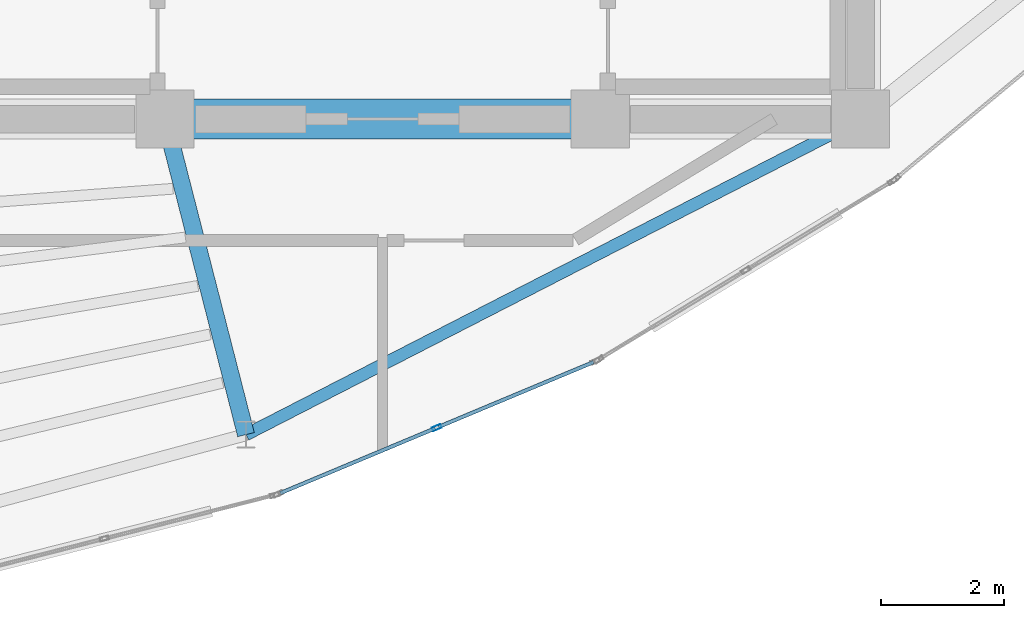
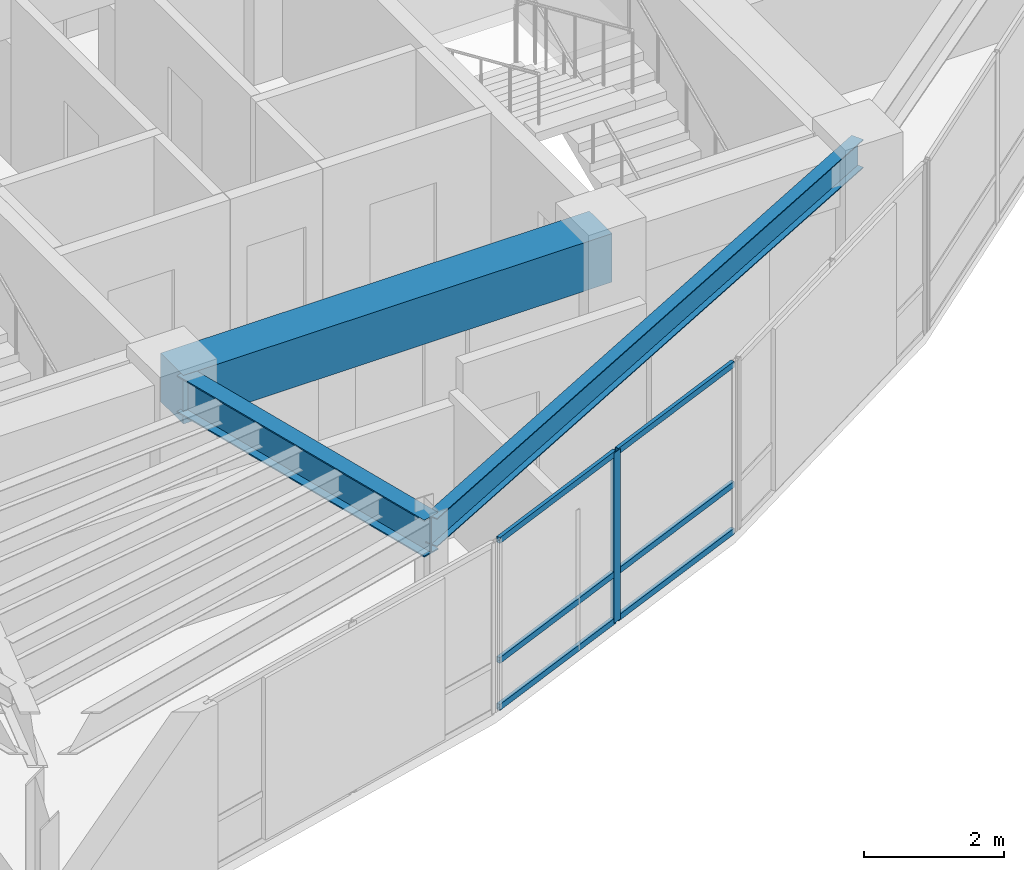
# One storey, part 3 of 14: 7 members, 3 beams, 1 element without a shape of its own.
"""IFC4 building model written with IfcOpenShell, lengths in metres."""

import ifcopenshell
import ifcopenshell.guid

model = None  # the IFC model being written
_history = None  # IfcOwnerHistory: only IFC2X3 demands one
_inside = {}  # id of a spatial element -> (the spatial element, [elements in it])
_under = {}  # id of a project, library or spatial element -> (it, [spatial elements below it])
_declared = {}  # id of a project -> (the project, [libraries it declares])
_typed = {}  # id of a type object -> (the type object, [elements of that type])
_made_of = {}  # id of a material, layer set ... -> (it, [elements and type objects made of it])


def new_model(schema):
    """Start an empty IFC model of exactly this schema.

    Asked for "IFC4X3", IfcOpenShell would pick the latest addendum, in which some entities
    have other attributes; the version numbers below select the first issue.
    IFC2X3 requires an IfcOwnerHistory on every rooted entity: one is made here for all.
    """
    global model, _history
    if schema == "IFC4X3":
        model = ifcopenshell.file(schema_version=(4, 3, 0, 0))
    else:
        model = ifcopenshell.file(schema=schema)
    _inside.clear()
    _under.clear()
    _declared.clear()
    _typed.clear()
    _made_of.clear()
    _history = None
    if model.schema == "IFC2X3":
        org = make("IfcOrganization", Name="unknown")
        user = make(
            "IfcPersonAndOrganization",
            ThePerson=make("IfcPerson", FamilyName="unknown"),
            TheOrganization=org,
        )
        app = make(
            "IfcApplication",
            ApplicationDeveloper=org,
            Version="unknown",
            ApplicationFullName="unknown",
            ApplicationIdentifier="unknown",
        )
        _history = make(
            "IfcOwnerHistory",
            OwningUser=user,
            OwningApplication=app,
            ChangeAction="ADDED",
            CreationDate=0,
        )
    return model


def make(cls, **values):
    """One entity of the class cls with the attributes given. An attribute that is None is left unset."""
    return model.create_entity(
        cls, **{name: value for name, value in values.items() if value is not None}
    )


def rooted(cls, **values):
    """An entity with a GlobalId (a new one), such as an element, a storey or a relation."""
    return make(cls, GlobalId=ifcopenshell.guid.new(), OwnerHistory=_history, **values)


def si_unit(unit_type, name, prefix=None):
    """IfcSIUnit, for example si_unit("LENGTHUNIT", "METRE", prefix="MILLI")."""
    return make("IfcSIUnit", UnitType=unit_type, Prefix=prefix, Name=name)


def assignment(units):
    """IfcUnitAssignment: the units of a project."""
    return None if units is None else make("IfcUnitAssignment", Units=units)


def point(xyz):
    """IfcCartesianPoint."""
    return None if xyz is None else make("IfcCartesianPoint", Coordinates=xyz)


def direction(xyz):
    """IfcDirection."""
    return None if xyz is None else make("IfcDirection", DirectionRatios=xyz)


def frame(location, z_axis=None, x_axis=None):
    """IfcAxis2Placement3D, a coordinate frame: its origin and axes. An axis left out is left unset."""
    return make(
        "IfcAxis2Placement3D",
        Location=point(location),
        Axis=direction(z_axis),
        RefDirection=direction(x_axis),
    )


def frame_2d(location, x_axis=None):
    """IfcAxis2Placement2D, a coordinate frame in the plane: its origin and x axis."""
    return make(
        "IfcAxis2Placement2D", Location=point(location), RefDirection=direction(x_axis)
    )


def origin():
    """The frame at (0, 0, 0) with its axes left unset."""
    return frame((0.0, 0.0, 0.0))


def origin_2d():
    """The frame at (0, 0) in the plane with its x axis left unset."""
    return frame_2d((0.0, 0.0))


def place(relative_to, where):
    """IfcLocalPlacement: puts the frame where relative to a parent placement (None: the world)."""
    return make(
        "IfcLocalPlacement", PlacementRelTo=relative_to, RelativePlacement=where
    )


def context(
    kind, dimensions, precision=None, world=None, true_north=None, identifier=None
):
    """IfcGeometricRepresentationContext, for example the 3D "Model" context."""
    return make(
        "IfcGeometricRepresentationContext",
        ContextIdentifier=identifier,
        ContextType=kind,
        CoordinateSpaceDimension=dimensions,
        Precision=precision,
        WorldCoordinateSystem=world,
        TrueNorth=true_north,
    )


def subcontext(parent, identifier, kind, view, scale=None):
    """IfcGeometricRepresentationSubContext, for example "Body" below "Model"."""
    return make(
        "IfcGeometricRepresentationSubContext",
        ContextIdentifier=identifier,
        ContextType=kind,
        ParentContext=parent,
        TargetScale=scale,
        TargetView=view,
    )


def project(units=None, contexts=None):
    """IfcProject with its units and contexts."""
    return rooted(
        "IfcProject",
        Name="project",
        RepresentationContexts=contexts,
        UnitsInContext=assignment(units),
    )


def spatial(cls, under=None, at=None, **own):
    """A site, building, storey or space (cls), placed at a placement, below another one or the project."""
    s = rooted(cls, ObjectPlacement=at, **own)
    if under is not None:
        _under.setdefault(under.id(), (under, []))[1].append(s)
    return s


def profile(cls, at=None, kind="AREA", **sizes):
    """A parametric profile (cls). Its sizes go by their IFC names, for example OverallWidth=200.0."""
    return make(cls, ProfileType=kind, Position=at, **sizes)


def rectangle(**sizes):
    """IfcRectangleProfileDef."""
    return profile("IfcRectangleProfileDef", **sizes)


def hollow_rectangle(**sizes):
    """IfcRectangleHollowProfileDef."""
    return profile("IfcRectangleHollowProfileDef", **sizes)


def i_section(**sizes):
    """IfcIShapeProfileDef."""
    return profile("IfcIShapeProfileDef", **sizes)


def extrude(swept, where, along, depth):
    """IfcExtrudedAreaSolid: the profile swept, set in the frame where, extruded along a direction by depth."""
    return make(
        "IfcExtrudedAreaSolid",
        SweptArea=swept,
        Position=where,
        ExtrudedDirection=direction(along),
        Depth=depth,
    )


def shape(context_of_items, identifier, shape_type, items):
    """IfcShapeRepresentation: the items that make up one representation, for example the "Body"."""
    return make(
        "IfcShapeRepresentation",
        ContextOfItems=context_of_items,
        RepresentationIdentifier=identifier,
        RepresentationType=shape_type,
        Items=items,
    )


def material(Name=None, Category=None):
    """IfcMaterial."""
    return make("IfcMaterial", Name=Name, Category=Category)


def layer(
    of_material, thickness, ventilated=None, Name=None, Category=None, Priority=None
):
    """IfcMaterialLayer: one layer of a wall or slab, of a material (None: an air gap)."""
    return make(
        "IfcMaterialLayer",
        Material=of_material,
        LayerThickness=thickness,
        IsVentilated=ventilated,
        Name=Name,
        Category=Category,
        Priority=Priority,
    )


def layer_set(layers, Name=None):
    """IfcMaterialLayerSet."""
    return make("IfcMaterialLayerSet", MaterialLayers=layers, LayerSetName=Name)


def material_profile(
    of_material, cross_section, Name=None, Category=None, Priority=None
):
    """IfcMaterialProfile: a cross section and its material."""
    return make(
        "IfcMaterialProfile",
        Name=Name,
        Material=of_material,
        Profile=cross_section,
        Priority=Priority,
        Category=Category,
    )


def profile_set(profiles, Name=None, composite=None):
    """IfcMaterialProfileSet."""
    return make(
        "IfcMaterialProfileSet",
        Name=Name,
        MaterialProfiles=profiles,
        CompositeProfile=composite,
    )


def made_of(thing, what):
    """Note that an element or type object is made of a material, layer set ...; save() writes the relation."""
    if what is not None:
        _made_of.setdefault(what.id(), (what, []))[1].append(thing)
    return thing


def type_object(cls, material=None, **own):
    """A type object (cls), such as IfcWallType, which elements share."""
    return made_of(rooted(cls, **own), material)


def element(
    cls,
    number,
    at=None,
    inside=None,
    cuts=None,
    type_object=None,
    material=None,
    context=None,
    identifier="Body",
    shape_type=None,
    held_by="IfcProductDefinitionShape",
    body=None,
    shapes=None,
    **own,
):
    """One element of the class cls, such as IfcWall. Its Tag is "e" and its number.

    at: its placement. inside: the storey or other place that contains it. cuts: it is an
    opening in that element (IfcRelVoidsElement). A single representation is given by context,
    identifier, shape_type and body (its items); several are given by shapes. held_by: the class
    of the entity that holds the representations. save() writes the other relations.
    """
    e = rooted(cls, Tag="e%d" % number, ObjectPlacement=at, **own)
    if body is not None:
        shapes = [shape(context, identifier, shape_type, body)]
    if shapes is not None:
        e.Representation = make(held_by, Representations=shapes)
    if inside is not None:
        _inside.setdefault(inside.id(), (inside, []))[1].append(e)
    if cuts is not None:
        rooted(
            "IfcRelVoidsElement", RelatingBuildingElement=cuts, RelatedOpeningElement=e
        )
    if type_object is not None:
        _typed.setdefault(type_object.id(), (type_object, []))[1].append(e)
    return made_of(e, material)


def aggregate(whole, parts):
    """IfcRelAggregates: a whole, such as a stair, and the parts it consists of."""
    return rooted("IfcRelAggregates", RelatingObject=whole, RelatedObjects=parts)


def save(model, path):
    """Write the relations noted so far, then the file.

    IfcRelAggregates (storeys below a building ...), IfcRelContainedInSpatialStructure (elements
    in a storey), IfcRelDefinesByType, IfcRelAssociatesMaterial and IfcRelDeclares: one each for
    every whole, place, type object, material and project.
    """
    for whole, parts in _under.values():
        aggregate(whole, parts)
    for where, things in _inside.values():
        rooted(
            "IfcRelContainedInSpatialStructure",
            RelatedElements=things,
            RelatingStructure=where,
        )
    for kind, things in _typed.values():
        rooted("IfcRelDefinesByType", RelatedObjects=things, RelatingType=kind)
    for what, things in _made_of.values():
        rooted("IfcRelAssociatesMaterial", RelatedObjects=things, RelatingMaterial=what)
    for by, libraries in _declared.values():
        rooted("IfcRelDeclares", RelatingContext=by, RelatedDefinitions=libraries)
    model.write(path)


model = new_model("IFC4")

# Units and contexts
model_context = context("Model", 3, precision=1e-05, world=origin(), true_north=direction((0.0, 1.0)))
body_context = subcontext(model_context, "Body", "Model", "MODEL_VIEW")
ifc_project = project(units=[si_unit("LENGTHUNIT", "METRE"), si_unit("AREAUNIT", "SQUARE_METRE"), si_unit("VOLUMEUNIT", "CUBIC_METRE"), si_unit("PLANEANGLEUNIT", "RADIAN"), si_unit("MASSUNIT", "GRAM", prefix="KILO")], contexts=[model_context])

# Site, building, storey
site_placement = place(None, origin())
site = spatial("IfcSite", under=ifc_project, at=site_placement, CompositionType="ELEMENT")
building_placement = place(site_placement, origin())
building = spatial("IfcBuilding", under=site, at=building_placement, Name="Menara Vayukalpa", CompositionType="ELEMENT")
storey_placement = place(building_placement, frame((0.0, 0.0, 302.419921875)))
storey = spatial("IfcBuildingStorey", under=building, at=storey_placement, Name="L77", CompositionType="ELEMENT", Elevation=302.419921875)

# Beams
ifc_material_1 = material(Name="Concrete C60/75", Category="concrete")
ifc_material_profile_1 = material_profile(ifc_material_1, rectangle(XDim=0.64990234375, YDim=0.85009765625, at=origin_2d()), Name="RC 650x850")
ifc_profile_set_1 = profile_set([ifc_material_profile_1], Name="Concrete C60/75")
beam_type_1 = type_object("IfcBeamType", Name="BM-CB1", PredefinedType="BEAM", material=ifc_profile_set_1)
beam_1_placement = place(storey_placement, frame((22.050048828125, 17.199951171875, 2.55517578125), z_axis=(1.0, 0.0, 0.0), x_axis=(0.0, 1.0, 0.0)))
element("IfcBeam", 1, at=beam_1_placement, inside=storey, type_object=beam_type_1, Name="L77 Core Tie Beam CBR2", PredefinedType="BEAM", context=body_context, shape_type="SweptSolid", body=[
    extrude(rectangle(XDim=0.64990234375, YDim=0.85009765625, at=origin_2d()), origin(), (0.0, 0.0, 1.0), 7.099853515625),
])
ifc_material_2 = material(Name="Steel S355", Category="steel")
ifc_material_profile_2 = material_profile(ifc_material_2, i_section(OverallWidth=0.280029296875, OverallDepth=0.64990234375, WebThickness=0.012939453125, FlangeThickness=0.02197265625, at=origin_2d()), Name="WF 650x280x13x22")
ifc_profile_set_2 = profile_set([ifc_material_profile_2], Name="Steel S355")
beam_type_2 = type_object("IfcBeamType", Name="BM-PG6", PredefinedType="BEAM", material=ifc_profile_set_2)
beam_2_placement = place(storey_placement, frame((22.112060546875, 16.957763671875, 2.655029296875), z_axis=(0.248427525231, -0.968650486351, 0.0), x_axis=(0.968650486351, 0.248427525231, 0.0)))
element("IfcBeam", 2, at=beam_2_placement, inside=storey, type_object=beam_type_2, Name="L77 Primary Radial Girder RG08", PredefinedType="BEAM", context=body_context, shape_type="SweptSolid", body=[
    extrude(i_section(OverallWidth=0.280029296875, OverallDepth=0.64990234375, WebThickness=0.012939453125, FlangeThickness=0.02197265625, at=origin_2d()), origin(), (0.0, 0.0, 1.0), 5.066162109375),
])
ifc_material_3 = material(Name="Steel S355", Category="steel")
ifc_material_profile_3 = material_profile(ifc_material_3, i_section(OverallWidth=0.199951171875, OverallDepth=0.5, WebThickness=0.010009765625, FlangeThickness=0.01611328125, at=origin_2d()), Name="WF 500x200x10x16")
ifc_profile_set_3 = profile_set([ifc_material_profile_3], Name="Steel S355")
beam_type_3 = type_object("IfcBeamType", Name="BM-SP3", PredefinedType="SPANDREL", material=ifc_profile_set_3)
beam_3_placement = place(storey_placement, frame((23.37060546875, 12.050537109375, 2.72998046875), z_axis=(0.889594604964, 0.456750959297, 0.0), x_axis=(-0.456750959297, 0.889594604964, 0.0)))
element("IfcBeam", 3, at=beam_3_placement, inside=storey, type_object=beam_type_3, Name="L77 Perimeter Spandrel Beam SP08", PredefinedType="SPANDREL", context=body_context, shape_type="SweptSolid", body=[
    extrude(i_section(OverallWidth=0.199951171875, OverallDepth=0.5, WebThickness=0.010009765625, FlangeThickness=0.01611328125, at=origin_2d()), origin(), (0.0, 0.0, 1.0), 11.27392578125),
])

# Curtain wall, members
ifc_material_4 = material(Name="Anodised Terracotta Aluminium Alloy 6063-T6", Category="masonry")
ifc_layer = layer(ifc_material_4, 0.14990234375)
ifc_layer_set = layer_set([ifc_layer], Name="Anodised Terracotta Aluminium Alloy 6063-T6")
curtain_wall_type = type_object("IfcCurtainWallType", Name="CW-CW7", PredefinedType="USERDEFINED", material=ifc_layer_set)
curtain_wall_placement = place(storey_placement, origin())
curtain_wall = element("IfcCurtainWall", 4, at=curtain_wall_placement, inside=storey, type_object=curtain_wall_type, Name="L77 Crown Drum Screened Curtain Wall CW7 16", ObjectType="UNITISED", PredefinedType="USERDEFINED")
ifc_material_5 = material(Name="Anodised Terracotta Aluminium Alloy 6063-T6", Category="masonry")
ifc_material_profile_4 = material_profile(ifc_material_5, hollow_rectangle(XDim=0.06494140625, YDim=0.14990234375, WallThickness=0.00341796875, at=origin_2d()), Name="ALU 65x150x3.5")
ifc_profile_set_4 = profile_set([ifc_material_profile_4], Name="Anodised Terracotta Aluminium Alloy 6063-T6")
member_type_1 = type_object("IfcMemberType", Name="CWM-CW7", PredefinedType="MULLION", material=ifc_profile_set_4)
member_1_placement = place(storey_placement, frame((26.48583984375, 12.16455078125, 0.0), z_axis=(0.0, 0.0, 1.0), x_axis=(-0.385898361946, 0.922541302191, 0.0)))
member_1 = element("IfcMember", 5, at=member_1_placement, type_object=member_type_1, Name="CW7 mullion 2", PredefinedType="MULLION", context=body_context, shape_type="SweptSolid", body=[
    extrude(hollow_rectangle(XDim=0.06494140625, YDim=0.14990234375, WallThickness=0.00341796875, at=origin_2d()), origin(), (0.0, 0.0, 1.0), 2.97998046875),
])
ifc_material_6 = material(Name="Anodised Terracotta Aluminium Alloy 6063-T6", Category="masonry")
ifc_material_profile_5 = material_profile(ifc_material_6, hollow_rectangle(XDim=0.06005859375, YDim=0.10498046875, WallThickness=0.0029296875, at=origin_2d()), Name="ALU 60x105x3")
ifc_profile_set_5 = profile_set([ifc_material_profile_5], Name="Anodised Terracotta Aluminium Alloy 6063-T6")
member_type_2 = type_object("IfcMemberType", Name="CWT-CW7", PredefinedType="USERDEFINED", material=ifc_profile_set_5)
member_2_placement = place(storey_placement, frame((23.929931640625, 11.095458984375, 0.030029296875), z_axis=(0.922532551431, 0.385919281132, 0.0), x_axis=(-0.385919281132, 0.922532551431, 0.0)))
member_2 = element("IfcMember", 6, at=member_2_placement, type_object=member_type_2, Name="CW7 transom 1.1", ObjectType="TRANSOM", PredefinedType="USERDEFINED", context=body_context, shape_type="SweptSolid", body=[
    extrude(hollow_rectangle(XDim=0.06005859375, YDim=0.10498046875, WallThickness=0.0029296875, at=origin_2d()), origin(), (0.0, 0.0, 1.0), 2.738037109375),
])
member_3_placement = place(storey_placement, frame((23.929931640625, 11.095458984375, 0.85009765625), z_axis=(0.922532551431, 0.385919281132, 0.0), x_axis=(-0.385919281132, 0.922532551431, 0.0)))
member_3 = element("IfcMember", 7, at=member_3_placement, type_object=member_type_2, Name="CW7 transom 1.2", ObjectType="TRANSOM", PredefinedType="USERDEFINED", context=body_context, shape_type="SweptSolid", body=[
    extrude(hollow_rectangle(XDim=0.06005859375, YDim=0.10498046875, WallThickness=0.0029296875, at=origin_2d()), origin(), (0.0, 0.0, 1.0), 2.738037109375),
])
member_4_placement = place(storey_placement, frame((23.929931640625, 11.095458984375, 2.9501953125), z_axis=(0.922532551431, 0.385919281132, 0.0), x_axis=(-0.385919281132, 0.922532551431, 0.0)))
member_4 = element("IfcMember", 8, at=member_4_placement, type_object=member_type_2, Name="CW7 transom 1.3", ObjectType="TRANSOM", PredefinedType="USERDEFINED", context=body_context, shape_type="SweptSolid", body=[
    extrude(hollow_rectangle(XDim=0.06005859375, YDim=0.10498046875, WallThickness=0.0029296875, at=origin_2d()), origin(), (0.0, 0.0, 1.0), 2.738037109375),
])
member_5_placement = place(storey_placement, frame((26.515869140625, 12.17724609375, 0.030029296875), z_axis=(0.922532551431, 0.385919281132, 0.0), x_axis=(-0.385919281132, 0.922532551431, 0.0)))
member_5 = element("IfcMember", 9, at=member_5_placement, type_object=member_type_2, Name="CW7 transom 2.1", ObjectType="TRANSOM", PredefinedType="USERDEFINED", context=body_context, shape_type="SweptSolid", body=[
    extrude(hollow_rectangle(XDim=0.06005859375, YDim=0.10498046875, WallThickness=0.0029296875, at=origin_2d()), origin(), (0.0, 0.0, 1.0), 2.738037109375),
])
member_6_placement = place(storey_placement, frame((26.515869140625, 12.17724609375, 0.85009765625), z_axis=(0.922532551431, 0.385919281132, 0.0), x_axis=(-0.385919281132, 0.922532551431, 0.0)))
member_6 = element("IfcMember", 10, at=member_6_placement, type_object=member_type_2, Name="CW7 transom 2.2", ObjectType="TRANSOM", PredefinedType="USERDEFINED", context=body_context, shape_type="SweptSolid", body=[
    extrude(hollow_rectangle(XDim=0.06005859375, YDim=0.10498046875, WallThickness=0.0029296875, at=origin_2d()), origin(), (0.0, 0.0, 1.0), 2.738037109375),
])
member_7_placement = place(storey_placement, frame((26.515869140625, 12.17724609375, 2.9501953125), z_axis=(0.922532551431, 0.385919281132, 0.0), x_axis=(-0.385919281132, 0.922532551431, 0.0)))
member_7 = element("IfcMember", 11, at=member_7_placement, type_object=member_type_2, Name="CW7 transom 2.3", ObjectType="TRANSOM", PredefinedType="USERDEFINED", context=body_context, shape_type="SweptSolid", body=[
    extrude(hollow_rectangle(XDim=0.06005859375, YDim=0.10498046875, WallThickness=0.0029296875, at=origin_2d()), origin(), (0.0, 0.0, 1.0), 2.738037109375),
])
aggregate(curtain_wall, [member_1, member_2, member_3, member_4, member_5, member_6, member_7])

save(model, "model.ifc")
